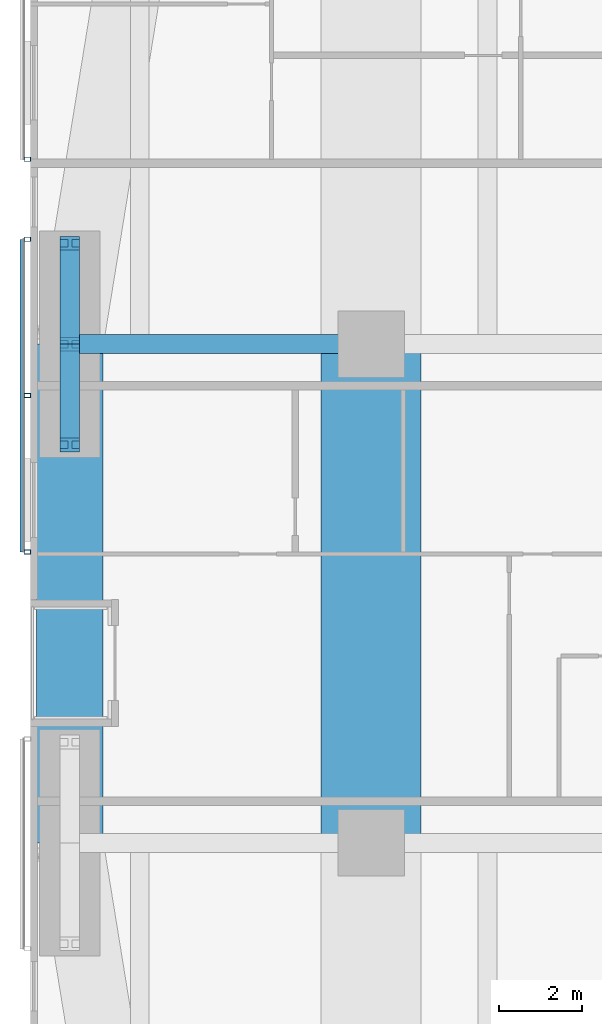
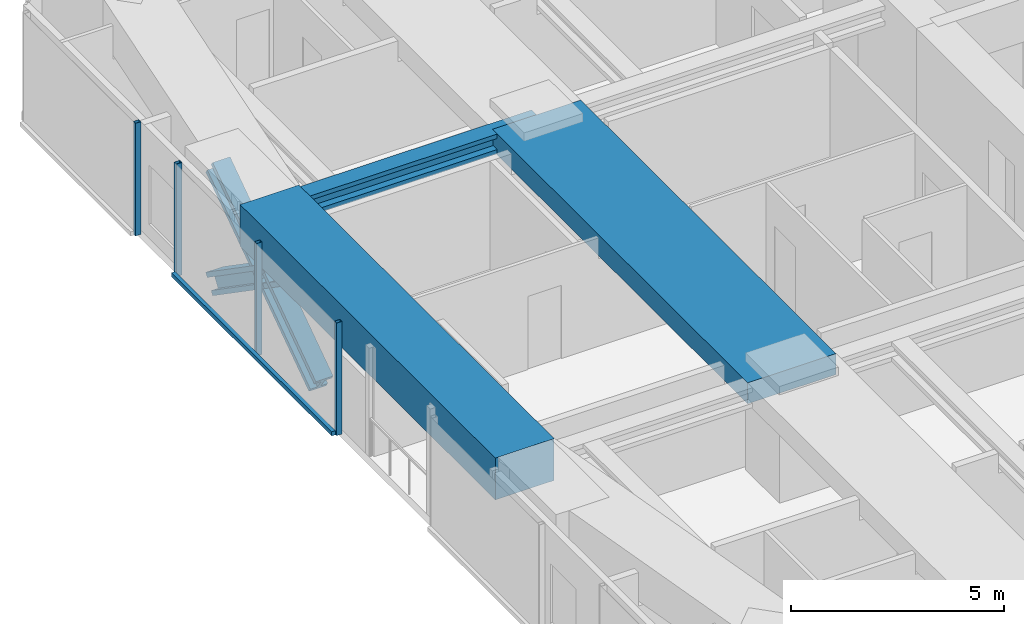
# One storey, part 6 of 23: 9 members, 3 beams, 2 elements without a shape of their own.
"""IFC4 building model written with IfcOpenShell, lengths in metres."""

from ifc_helpers import new_model, si_unit, direction, frame, origin, origin_2d, place, context, subcontext, project, spatial, rectangle, hollow_rectangle, i_section, extrude, material, material_profile, profile_set, type_object, element, aggregate, save


model = new_model("IFC4")

# Units and contexts
model_context = context("Model", 3, precision=1e-05, world=origin(), true_north=direction((0.0, 1.0)))
body_context = subcontext(model_context, "Body", "Model", "MODEL_VIEW")
ifc_project = project(units=[si_unit("LENGTHUNIT", "METRE"), si_unit("AREAUNIT", "SQUARE_METRE"), si_unit("VOLUMEUNIT", "CUBIC_METRE"), si_unit("PLANEANGLEUNIT", "RADIAN"), si_unit("MASSUNIT", "GRAM", prefix="KILO")], contexts=[model_context])

# Site, building, storey
site_placement = place(None, origin())
site = spatial("IfcSite", under=ifc_project, at=site_placement, CompositionType="ELEMENT")
building_placement = place(site_placement, origin())
building = spatial("IfcBuilding", under=site, at=building_placement, Name="Jalousie Tower", CompositionType="ELEMENT")
storey_placement = place(building_placement, frame((0.0, 0.0, 37.75)))
storey = spatial("IfcBuildingStorey", under=building, at=storey_placement, Name="L09", CompositionType="ELEMENT", Elevation=37.75)

# Beam
ifc_material_1 = material(Name="Steel ASTM A992 Grade 50", Category="steel")
ifc_material_profile_1 = material_profile(ifc_material_1, i_section(OverallWidth=0.45458984375, OverallDepth=0.569091796875, WebThickness=0.077880859375, FlangeThickness=0.124755859375, at=origin_2d()), Name="W14X730")
ifc_profile_set_1 = profile_set([ifc_material_profile_1], Name="Steel ASTM A992 Grade 50")
beam_type_1 = type_object("IfcBeamType", Name="LEAN COLLECTOR W14X730", PredefinedType="BEAM", material=ifc_profile_set_1)
beam_1_placement = place(storey_placement, frame((2.949951171875, 25.0, 2.825439453125), z_axis=(1.0, 0.0, 0.0), x_axis=(0.0, 1.0, 0.0)))
element("IfcBeam", 1, at=beam_1_placement, inside=storey, type_object=beam_type_1, Name="Lean collector under L10", PredefinedType="BEAM", context=body_context, shape_type="SweptSolid", body=[
    extrude(i_section(OverallWidth=0.45458984375, OverallDepth=0.569091796875, WebThickness=0.077880859375, FlangeThickness=0.124755859375, at=origin_2d()), origin(), (0.0, 0.0, 1.0), 7.25),
])

# Members
ifc_material_2 = material(Name="Steel ASTM A992 Grade 50", Category="steel")
ifc_material_profile_2 = material_profile(ifc_material_2, i_section(OverallWidth=0.472412109375, OverallDepth=0.5791015625, WebThickness=0.094970703125, FlangeThickness=0.1298828125, at=origin_2d()), Name="W14X808")
ifc_profile_set_2 = profile_set([ifc_material_profile_2], Name="Steel ASTM A992 Grade 50")
member_type_1 = type_object("IfcMemberType", Name="PERIMETER BRACE W14X808", PredefinedType="BRACE", material=ifc_profile_set_2)
for number, where, z_axis, x_axis, name in (
    (2, (2.949951171875, 22.574951171875, -0.60009765625), (0.0, 0.822800062329, 0.568330940062), (-1.0, 0.0, 0.0), "Perimeter brace 13 L09 part 1"),
    (3, (2.949951171875, 25.0, 1.074951171875), (0.0, 0.822800062329, 0.568330940062), (-1.0, 0.0, 0.0), "Perimeter brace 13 L09 part 2"),
    (4, (2.949951171875, 27.425048828125, -0.60009765625), (0.0, -0.822800062329, 0.568330940062), (1.0, 0.0, 0.0), "Perimeter brace 13 L09 part 3"),
    (5, (2.949951171875, 25.0, 1.074951171875), (0.0, -0.822800062329, 0.568330940062), (1.0, 0.0, 0.0), "Perimeter brace 13 L09 part 4"),
):
    element("IfcMember", number, at=place(storey_placement, frame(where, z_axis=z_axis, x_axis=x_axis)), inside=storey, type_object=member_type_1, Name=name, PredefinedType="BRACE", context=body_context, shape_type="SweptSolid", body=[
        extrude(i_section(OverallWidth=0.472412109375, OverallDepth=0.5791015625, WebThickness=0.094970703125, FlangeThickness=0.1298828125, at=origin_2d()), origin(), (0.0, 0.0, 1.0), 2.947265625),
    ])

# Beams
ifc_material_3 = material(Name="Concrete f'c 40 MPa", Category="concrete")
ifc_material_profile_3 = material_profile(ifc_material_3, rectangle(XDim=1.60009765625, YDim=1.199951171875, at=origin_2d()), Name="RC 1600x1200")
ifc_profile_set_3 = profile_set([ifc_material_profile_3], Name="Concrete f'c 40 MPa")
beam_type_2 = type_object("IfcBeamType", Name="RC BEAM 1600x1200", PredefinedType="BEAM", material=ifc_profile_set_3)
beam_2_placement = place(storey_placement, frame((2.949951171875, 25.0, 2.75), z_axis=(0.0, -1.0, 0.0), x_axis=(1.0, 0.0, 0.0)))
element("IfcBeam", 6, at=beam_2_placement, inside=storey, type_object=beam_type_2, Name="Edge band beam 13-14 under L10", PredefinedType="BEAM", context=body_context, shape_type="SweptSolid", body=[
    extrude(rectangle(XDim=1.60009765625, YDim=1.199951171875, at=origin_2d()), origin(), (0.0, 0.0, 1.0), 12.0),
])
ifc_material_4 = material(Name="Concrete f'c 40 MPa", Category="concrete")
ifc_material_profile_4 = material_profile(ifc_material_4, rectangle(XDim=2.39990234375, YDim=0.60009765625, at=origin_2d()), Name="RC 2400x600")
ifc_profile_set_4 = profile_set([ifc_material_profile_4], Name="Concrete f'c 40 MPa")
beam_type_3 = type_object("IfcBeamType", Name="RC BEAM 2400x600", PredefinedType="BEAM", material=ifc_profile_set_4)
beam_3_placement = place(storey_placement, frame((10.199951171875, 13.0, 2.81005859375), z_axis=(0.0, 1.0, 0.0), x_axis=(-1.0, 0.0, 0.0)))
element("IfcBeam", 7, at=beam_3_placement, inside=storey, type_object=beam_type_3, Name="Floor band beam under L10", PredefinedType="BEAM", context=body_context, shape_type="SweptSolid", body=[
    extrude(rectangle(XDim=2.39990234375, YDim=0.60009765625, at=origin_2d()), origin(), (0.0, 0.0, 1.0), 12.0),
])

# Curtain wall, member
ifc_material_5 = material(Name="Perforated aluminium sheet", Category="aluminium")
curtain_wall_type = type_object("IfcCurtainWallType", Name="SOLAR SCREEN SS-1", PredefinedType="USERDEFINED", material=ifc_material_5)
curtain_wall_1_placement = place(storey_placement, origin())
curtain_wall_1 = element("IfcCurtainWall", 8, at=curtain_wall_1_placement, inside=storey, type_object=curtain_wall_type, Name="Solar screen L09", ObjectType="SOLAR SCREEN SS-1", PredefinedType="USERDEFINED")
ifc_material_6 = material(Name="Steel ASTM A500 Grade C", Category="steel")
ifc_material_profile_5 = material_profile(ifc_material_6, hollow_rectangle(XDim=0.1015625, YDim=0.15234375, WallThickness=0.00634765625, at=origin_2d()), Name="HSS6X4X1/4")
ifc_profile_set_5 = profile_set([ifc_material_profile_5], Name="Steel ASTM A500 Grade C")
member_type_2 = type_object("IfcMemberType", Name="SOLAR SCREEN SS-1 MULLION", PredefinedType="MULLION", material=ifc_profile_set_5)
member_1_placement = place(storey_placement, frame((1.9287109375, 29.449951171875, -0.1201171875), z_axis=(0.0, 0.0, 1.0), x_axis=(0.0, -1.0, 0.0)))
member_1 = element("IfcMember", 9, at=member_1_placement, type_object=member_type_2, Name="SS1 post 2", PredefinedType="MULLION", context=body_context, shape_type="SweptSolid", body=[
    extrude(hollow_rectangle(XDim=0.1015625, YDim=0.15234375, WallThickness=0.00634765625, at=origin_2d()), origin(), (0.0, 0.0, 1.0), 3.230224609375),
])
aggregate(curtain_wall_1, [member_1])

# Curtain wall, members
curtain_wall_2_placement = place(storey_placement, origin())
curtain_wall_2 = element("IfcCurtainWall", 10, at=curtain_wall_2_placement, inside=storey, type_object=curtain_wall_type, Name="Solar screen L09", ObjectType="SOLAR SCREEN SS-1", PredefinedType="USERDEFINED")
member_2_placement = place(storey_placement, frame((1.9287109375, 27.52490234375, -0.1201171875), z_axis=(0.0, 0.0, 1.0), x_axis=(0.0, -1.0, 0.0)))
member_2 = element("IfcMember", 11, at=member_2_placement, type_object=member_type_2, Name="SS1 post 1", PredefinedType="MULLION", context=body_context, shape_type="SweptSolid", body=[
    extrude(hollow_rectangle(XDim=0.1015625, YDim=0.15234375, WallThickness=0.00634765625, at=origin_2d()), origin(), (0.0, 0.0, 1.0), 3.230224609375),
])
member_3_placement = place(storey_placement, frame((1.9287109375, 23.762451171875, -0.1201171875), z_axis=(0.0, 0.0, 1.0), x_axis=(0.0, -1.0, 0.0)))
member_3 = element("IfcMember", 12, at=member_3_placement, type_object=member_type_2, Name="SS1 post 2", PredefinedType="MULLION", context=body_context, shape_type="SweptSolid", body=[
    extrude(hollow_rectangle(XDim=0.1015625, YDim=0.15234375, WallThickness=0.00634765625, at=origin_2d()), origin(), (0.0, 0.0, 1.0), 3.230224609375),
])
member_4_placement = place(storey_placement, frame((1.9287109375, 20.0, -0.1201171875), z_axis=(0.0, 0.0, 1.0), x_axis=(0.0, -1.0, 0.0)))
member_4 = element("IfcMember", 13, at=member_4_placement, type_object=member_type_2, Name="SS1 post 3", PredefinedType="MULLION", context=body_context, shape_type="SweptSolid", body=[
    extrude(hollow_rectangle(XDim=0.1015625, YDim=0.15234375, WallThickness=0.00634765625, at=origin_2d()), origin(), (0.0, 0.0, 1.0), 3.230224609375),
])
ifc_material_7 = material(Name="Extruded aluminium screen rail", Category="aluminium")
ifc_material_profile_6 = material_profile(ifc_material_7, rectangle(XDim=0.1015625, YDim=0.1201171875, at=origin_2d()), Name="RAIL 102x120")
ifc_profile_set_6 = profile_set([ifc_material_profile_6], Name="Extruded aluminium screen rail")
member_type_3 = type_object("IfcMemberType", Name="SOLAR SCREEN SS-1 TRANSOM", PredefinedType="USERDEFINED", material=ifc_profile_set_6)
member_5_placement = place(storey_placement, frame((1.8017578125, 27.52490234375, -0.06005859375), z_axis=(0.0, -1.0, 0.0), x_axis=(1.0, 0.0, 0.0)))
member_5 = element("IfcMember", 14, at=member_5_placement, type_object=member_type_3, Name="SS1 rail", ObjectType="TRANSOM", PredefinedType="USERDEFINED", context=body_context, shape_type="SweptSolid", body=[
    extrude(rectangle(XDim=0.1015625, YDim=0.1201171875, at=origin_2d()), origin(), (0.0, 0.0, 1.0), 7.52490234375),
])
aggregate(curtain_wall_2, [member_2, member_3, member_4, member_5])

save(model, "model.ifc")
